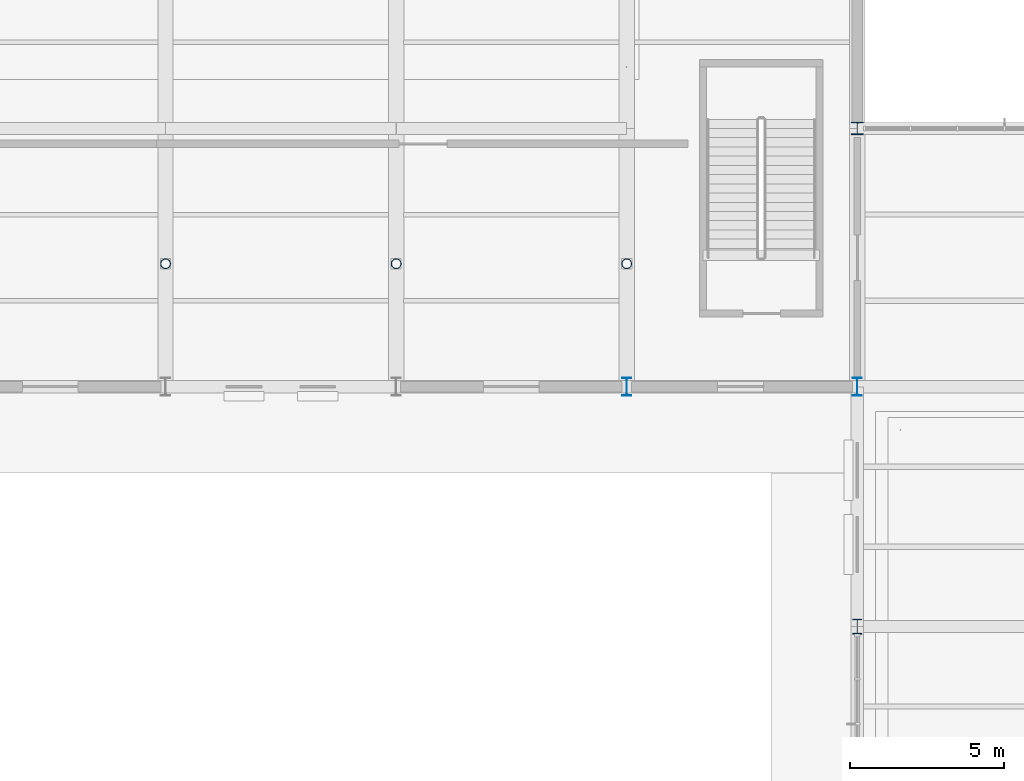
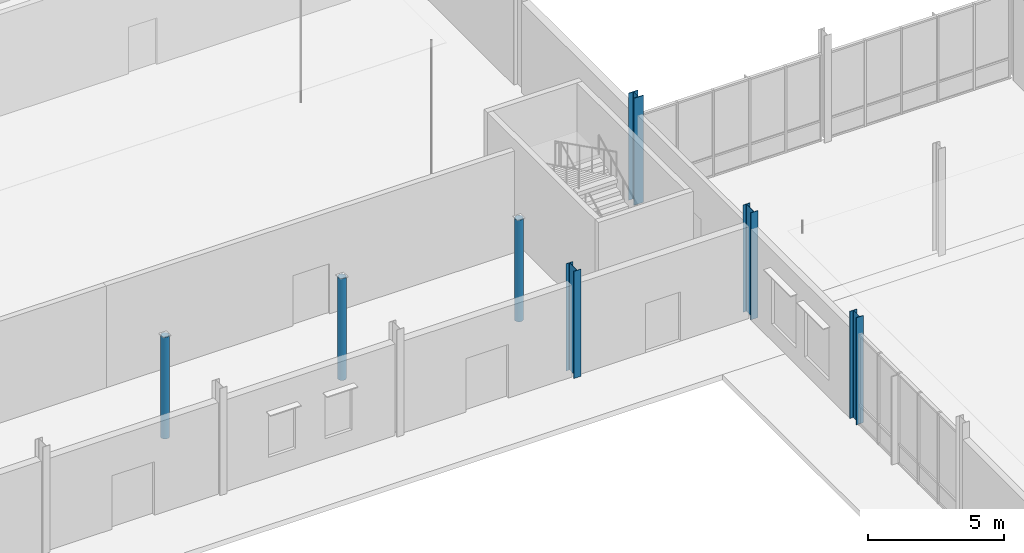
# One storey, part 9 of 82: 7 columns.
"""IFC4 building model written with IfcOpenShell, lengths in metres."""

from ifc_helpers import new_model, si_unit, direction, frame, origin, origin_2d, place, context, subcontext, project, spatial, hollow_circle, i_section, extrude, material, material_profile, profile_set, type_object, element, save


model = new_model("IFC4")

# Units and contexts
model_context = context("Model", 3, precision=1e-05, world=origin(), true_north=direction((0.0, 1.0)))
body_context = subcontext(model_context, "Body", "Model", "MODEL_VIEW")
ifc_project = project(units=[si_unit("LENGTHUNIT", "METRE"), si_unit("AREAUNIT", "SQUARE_METRE"), si_unit("VOLUMEUNIT", "CUBIC_METRE"), si_unit("PLANEANGLEUNIT", "RADIAN"), si_unit("MASSUNIT", "GRAM", prefix="KILO")], contexts=[model_context])

# Site, building, storey
site_placement = place(None, origin())
site = spatial("IfcSite", under=ifc_project, at=site_placement, CompositionType="ELEMENT")
building_placement = place(site_placement, origin())
building = spatial("IfcBuilding", under=site, at=building_placement, Name="Yukiwa Park Conservatory and Herbarium", CompositionType="ELEMENT")
storey_placement = place(building_placement, origin())
storey = spatial("IfcBuildingStorey", under=building, at=storey_placement, Name="L00", CompositionType="ELEMENT", Elevation=0.0)

# Columns
ifc_material_1 = material(Name="Steel Q355D", Category="steel")
ifc_material_profile_1 = material_profile(ifc_material_1, i_section(OverallWidth=0.300048828125, OverallDepth=0.587890625, WebThickness=0.011962890625, FlangeThickness=0.02001953125, FilletRadius=0.02392578125, at=origin_2d()), Name="HM 588x300x12x20")
ifc_profile_set_1 = profile_set([ifc_material_profile_1], Name="Steel Q355D")
column_type_1 = type_object("IfcColumnType", Name="COL-AU-HM588", PredefinedType="COLUMN", material=ifc_profile_set_1)
column_1_placement = place(storey_placement, frame((60.0, 78.0, 0.0), z_axis=(0.0, 0.0, 1.0), x_axis=(1.0, 0.0, 0.0)))
element("IfcColumn", 1, at=column_1_placement, inside=storey, type_object=column_type_1, Name="L00 column V4-X600-Y780", PredefinedType="COLUMN", context=body_context, shape_type="SweptSolid", body=[
    extrude(i_section(OverallWidth=0.300048828125, OverallDepth=0.587890625, WebThickness=0.011962890625, FlangeThickness=0.02001953125, FilletRadius=0.02392578125, at=origin_2d()), origin(), (0.0, 0.0, 1.0), 4.800048828125),
])
ifc_material_2 = material(Name="Steel Q355D", Category="steel")
ifc_material_profile_2 = material_profile(ifc_material_2, i_section(OverallWidth=0.300048828125, OverallDepth=0.587890625, WebThickness=0.011962890625, FlangeThickness=0.02001953125, FilletRadius=0.02392578125, at=origin_2d()), Name="HM 588x300x12x20")
ifc_profile_set_2 = profile_set([ifc_material_profile_2], Name="Steel Q355D")
column_type_2 = type_object("IfcColumnType", Name="COL-AU-HM588-EXT", PredefinedType="COLUMN", material=ifc_profile_set_2)
column_2_placement = place(storey_placement, frame((52.5, 78.0, 0.0), z_axis=(0.0, 0.0, 1.0), x_axis=(1.0, 0.0, 0.0)))
element("IfcColumn", 2, at=column_2_placement, inside=storey, type_object=column_type_2, Name="L00 column V4-X525-Y780", PredefinedType="COLUMN", context=body_context, shape_type="SweptSolid", body=[
    extrude(i_section(OverallWidth=0.300048828125, OverallDepth=0.587890625, WebThickness=0.011962890625, FlangeThickness=0.02001953125, FilletRadius=0.02392578125, at=origin_2d()), origin(), (0.0, 0.0, 1.0), 4.800048828125),
])
ifc_material_3 = material(Name="Steel Q355D", Category="steel")
ifc_material_profile_3 = material_profile(ifc_material_3, hollow_circle(Radius=0.16259765625, WallThickness=0.011962890625, at=origin_2d()), Name="CHS 325x12")
ifc_profile_set_3 = profile_set([ifc_material_profile_3], Name="Steel Q355D")
column_type_3 = type_object("IfcColumnType", Name="COL-CN-CHS325", PredefinedType="COLUMN", material=ifc_profile_set_3)
for number, where, z_axis, x_axis, name in (
    (3, (37.5, 82.0, 0.0), (0.0, 0.0, 1.0), (1.0, 0.0, 0.0), "Auditorium balcony gallery colonnade post 3"),
    (4, (45.0, 82.0, 0.0), (0.0, 0.0, 1.0), (1.0, 0.0, 0.0), "Auditorium balcony gallery colonnade post 4"),
    (5, (52.5, 82.0, 0.0), (0.0, 0.0, 1.0), (1.0, 0.0, 0.0), "Auditorium balcony gallery colonnade post 5"),
):
    element("IfcColumn", number, at=place(storey_placement, frame(where, z_axis=z_axis, x_axis=x_axis)), inside=storey, type_object=column_type_3, Name=name, PredefinedType="COLUMN", context=body_context, shape_type="SweptSolid", body=[
        extrude(hollow_circle(Radius=0.16259765625, WallThickness=0.011962890625, at=origin_2d()), origin(), (0.0, 0.0, 1.0), 4.56005859375),
    ])
ifc_material_4 = material(Name="Steel Q355D", Category="steel")
ifc_material_profile_4 = material_profile(ifc_material_4, i_section(OverallWidth=0.39990234375, OverallDepth=0.39990234375, WebThickness=0.012939453125, FlangeThickness=0.02099609375, FilletRadius=0.02197265625, at=origin_2d()), Name="HW 400x400x13x21")
ifc_profile_set_4 = profile_set([ifc_material_profile_4], Name="Steel Q355D")
column_type_4 = type_object("IfcColumnType", Name="COL-TW-HW400", PredefinedType="COLUMN", material=ifc_profile_set_4)
column_3_placement = place(storey_placement, frame((60.0, 86.39990234375, 0.0), z_axis=(0.0, 0.0, 1.0), x_axis=(1.0, 0.0, 0.0)))
element("IfcColumn", 6, at=column_3_placement, inside=storey, type_object=column_type_4, Name="L00 column V4-X600-Y864", PredefinedType="COLUMN", context=body_context, shape_type="SweptSolid", body=[
    extrude(i_section(OverallWidth=0.39990234375, OverallDepth=0.39990234375, WebThickness=0.012939453125, FlangeThickness=0.02099609375, FilletRadius=0.02197265625, at=origin_2d()), origin(), (0.0, 0.0, 1.0), 4.800048828125),
])
ifc_material_5 = material(Name="Steel Q355D", Category="steel")
ifc_material_profile_5 = material_profile(ifc_material_5, i_section(OverallWidth=0.300048828125, OverallDepth=0.488037109375, WebThickness=0.010986328125, FlangeThickness=0.01806640625, FilletRadius=0.02392578125, at=origin_2d()), Name="HM 488x300x11x18")
ifc_profile_set_5 = profile_set([ifc_material_profile_5], Name="Steel Q355D")
column_type_5 = type_object("IfcColumnType", Name="COL-VS-HM488-EXT", PredefinedType="COLUMN", material=ifc_profile_set_5)
column_4_placement = place(storey_placement, frame((60.0, 70.199951171875, 0.0), z_axis=(0.0, 0.0, 1.0), x_axis=(1.0, 0.0, 0.0)))
element("IfcColumn", 7, at=column_4_placement, inside=storey, type_object=column_type_5, Name="L00 column V3-X600-Y702", PredefinedType="COLUMN", context=body_context, shape_type="SweptSolid", body=[
    extrude(i_section(OverallWidth=0.300048828125, OverallDepth=0.488037109375, WebThickness=0.010986328125, FlangeThickness=0.01806640625, FilletRadius=0.02392578125, at=origin_2d()), origin(), (0.0, 0.0, 1.0), 4.800048828125),
])

save(model, "model.ifc")
